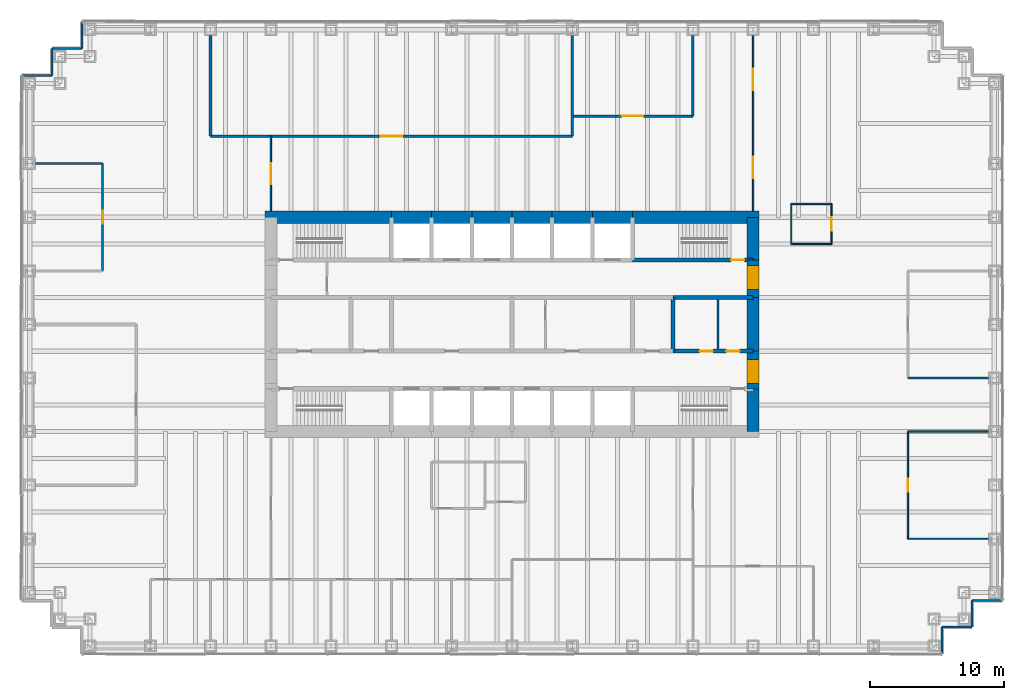
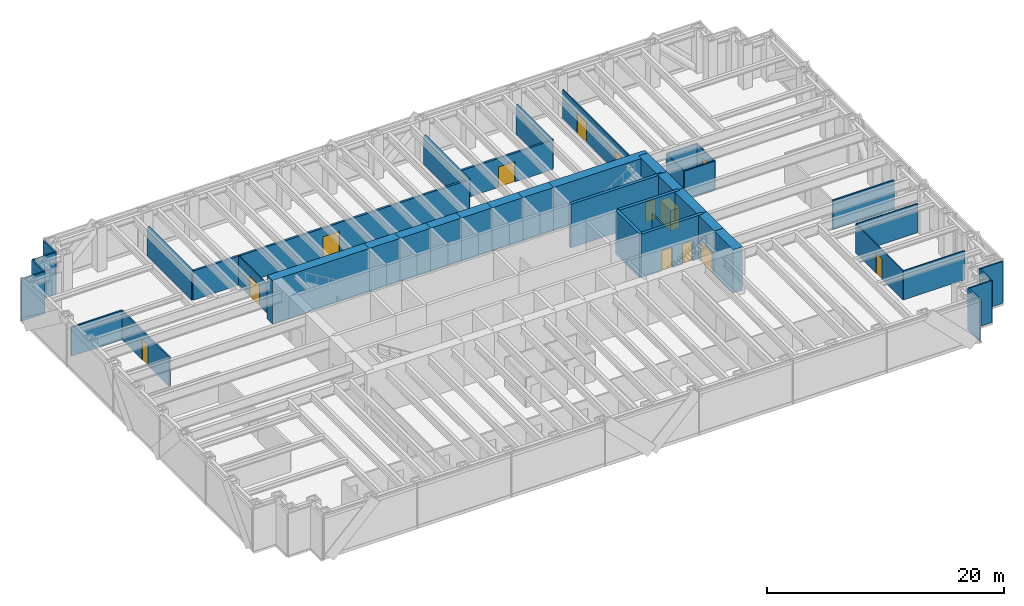
# One storey, part 11 of 13: 43 walls, 13 doors, 13 openings.
"""IFC4 building model written with IfcOpenShell, lengths in metres."""

import ifcopenshell
import ifcopenshell.guid

model = None  # the IFC model being written
_history = None  # IfcOwnerHistory: only IFC2X3 demands one
_inside = {}  # id of a spatial element -> (the spatial element, [elements in it])
_under = {}  # id of a project, library or spatial element -> (it, [spatial elements below it])
_declared = {}  # id of a project -> (the project, [libraries it declares])
_typed = {}  # id of a type object -> (the type object, [elements of that type])
_made_of = {}  # id of a material, layer set ... -> (it, [elements and type objects made of it])


def new_model(schema):
    """Start an empty IFC model of exactly this schema.

    Asked for "IFC4X3", IfcOpenShell would pick the latest addendum, in which some entities
    have other attributes; the version numbers below select the first issue.
    IFC2X3 requires an IfcOwnerHistory on every rooted entity: one is made here for all.
    """
    global model, _history
    if schema == "IFC4X3":
        model = ifcopenshell.file(schema_version=(4, 3, 0, 0))
    else:
        model = ifcopenshell.file(schema=schema)
    _inside.clear()
    _under.clear()
    _declared.clear()
    _typed.clear()
    _made_of.clear()
    _history = None
    if model.schema == "IFC2X3":
        org = make("IfcOrganization", Name="unknown")
        user = make(
            "IfcPersonAndOrganization",
            ThePerson=make("IfcPerson", FamilyName="unknown"),
            TheOrganization=org,
        )
        app = make(
            "IfcApplication",
            ApplicationDeveloper=org,
            Version="unknown",
            ApplicationFullName="unknown",
            ApplicationIdentifier="unknown",
        )
        _history = make(
            "IfcOwnerHistory",
            OwningUser=user,
            OwningApplication=app,
            ChangeAction="ADDED",
            CreationDate=0,
        )
    return model


def make(cls, **values):
    """One entity of the class cls with the attributes given. An attribute that is None is left unset."""
    return model.create_entity(
        cls, **{name: value for name, value in values.items() if value is not None}
    )


def rooted(cls, **values):
    """An entity with a GlobalId (a new one), such as an element, a storey or a relation."""
    return make(cls, GlobalId=ifcopenshell.guid.new(), OwnerHistory=_history, **values)


def si_unit(unit_type, name, prefix=None):
    """IfcSIUnit, for example si_unit("LENGTHUNIT", "METRE", prefix="MILLI")."""
    return make("IfcSIUnit", UnitType=unit_type, Prefix=prefix, Name=name)


def assignment(units):
    """IfcUnitAssignment: the units of a project."""
    return None if units is None else make("IfcUnitAssignment", Units=units)


def point(xyz):
    """IfcCartesianPoint."""
    return None if xyz is None else make("IfcCartesianPoint", Coordinates=xyz)


def direction(xyz):
    """IfcDirection."""
    return None if xyz is None else make("IfcDirection", DirectionRatios=xyz)


def frame(location, z_axis=None, x_axis=None):
    """IfcAxis2Placement3D, a coordinate frame: its origin and axes. An axis left out is left unset."""
    return make(
        "IfcAxis2Placement3D",
        Location=point(location),
        Axis=direction(z_axis),
        RefDirection=direction(x_axis),
    )


def frame_2d(location, x_axis=None):
    """IfcAxis2Placement2D, a coordinate frame in the plane: its origin and x axis."""
    return make(
        "IfcAxis2Placement2D", Location=point(location), RefDirection=direction(x_axis)
    )


def origin():
    """The frame at (0, 0, 0) with its axes left unset."""
    return frame((0.0, 0.0, 0.0))


def place(relative_to, where):
    """IfcLocalPlacement: puts the frame where relative to a parent placement (None: the world)."""
    return make(
        "IfcLocalPlacement", PlacementRelTo=relative_to, RelativePlacement=where
    )


def context(
    kind, dimensions, precision=None, world=None, true_north=None, identifier=None
):
    """IfcGeometricRepresentationContext, for example the 3D "Model" context."""
    return make(
        "IfcGeometricRepresentationContext",
        ContextIdentifier=identifier,
        ContextType=kind,
        CoordinateSpaceDimension=dimensions,
        Precision=precision,
        WorldCoordinateSystem=world,
        TrueNorth=true_north,
    )


def subcontext(parent, identifier, kind, view, scale=None):
    """IfcGeometricRepresentationSubContext, for example "Body" below "Model"."""
    return make(
        "IfcGeometricRepresentationSubContext",
        ContextIdentifier=identifier,
        ContextType=kind,
        ParentContext=parent,
        TargetScale=scale,
        TargetView=view,
    )


def project(units=None, contexts=None):
    """IfcProject with its units and contexts."""
    return rooted(
        "IfcProject",
        Name="project",
        RepresentationContexts=contexts,
        UnitsInContext=assignment(units),
    )


def spatial(cls, under=None, at=None, **own):
    """A site, building, storey or space (cls), placed at a placement, below another one or the project."""
    s = rooted(cls, ObjectPlacement=at, **own)
    if under is not None:
        _under.setdefault(under.id(), (under, []))[1].append(s)
    return s


def profile(cls, at=None, kind="AREA", **sizes):
    """A parametric profile (cls). Its sizes go by their IFC names, for example OverallWidth=200.0."""
    return make(cls, ProfileType=kind, Position=at, **sizes)


def rectangle(**sizes):
    """IfcRectangleProfileDef."""
    return profile("IfcRectangleProfileDef", **sizes)


def extrude(swept, where, along, depth):
    """IfcExtrudedAreaSolid: the profile swept, set in the frame where, extruded along a direction by depth."""
    return make(
        "IfcExtrudedAreaSolid",
        SweptArea=swept,
        Position=where,
        ExtrudedDirection=direction(along),
        Depth=depth,
    )


def shape(context_of_items, identifier, shape_type, items):
    """IfcShapeRepresentation: the items that make up one representation, for example the "Body"."""
    return make(
        "IfcShapeRepresentation",
        ContextOfItems=context_of_items,
        RepresentationIdentifier=identifier,
        RepresentationType=shape_type,
        Items=items,
    )


def material(Name=None, Category=None):
    """IfcMaterial."""
    return make("IfcMaterial", Name=Name, Category=Category)


def layer(
    of_material, thickness, ventilated=None, Name=None, Category=None, Priority=None
):
    """IfcMaterialLayer: one layer of a wall or slab, of a material (None: an air gap)."""
    return make(
        "IfcMaterialLayer",
        Material=of_material,
        LayerThickness=thickness,
        IsVentilated=ventilated,
        Name=Name,
        Category=Category,
        Priority=Priority,
    )


def layer_set(layers, Name=None):
    """IfcMaterialLayerSet."""
    return make("IfcMaterialLayerSet", MaterialLayers=layers, LayerSetName=Name)


def made_of(thing, what):
    """Note that an element or type object is made of a material, layer set ...; save() writes the relation."""
    if what is not None:
        _made_of.setdefault(what.id(), (what, []))[1].append(thing)
    return thing


def type_object(cls, material=None, **own):
    """A type object (cls), such as IfcWallType, which elements share."""
    return made_of(rooted(cls, **own), material)


def element(
    cls,
    number,
    at=None,
    inside=None,
    cuts=None,
    type_object=None,
    material=None,
    context=None,
    identifier="Body",
    shape_type=None,
    held_by="IfcProductDefinitionShape",
    body=None,
    shapes=None,
    **own,
):
    """One element of the class cls, such as IfcWall. Its Tag is "e" and its number.

    at: its placement. inside: the storey or other place that contains it. cuts: it is an
    opening in that element (IfcRelVoidsElement). A single representation is given by context,
    identifier, shape_type and body (its items); several are given by shapes. held_by: the class
    of the entity that holds the representations. save() writes the other relations.
    """
    e = rooted(cls, Tag="e%d" % number, ObjectPlacement=at, **own)
    if body is not None:
        shapes = [shape(context, identifier, shape_type, body)]
    if shapes is not None:
        e.Representation = make(held_by, Representations=shapes)
    if inside is not None:
        _inside.setdefault(inside.id(), (inside, []))[1].append(e)
    if cuts is not None:
        rooted(
            "IfcRelVoidsElement", RelatingBuildingElement=cuts, RelatedOpeningElement=e
        )
    if type_object is not None:
        _typed.setdefault(type_object.id(), (type_object, []))[1].append(e)
    return made_of(e, material)


def fill(opening, filler):
    """IfcRelFillsElement: the door or window that sits in an opening."""
    return rooted(
        "IfcRelFillsElement",
        RelatingOpeningElement=opening,
        RelatedBuildingElement=filler,
    )


def aggregate(whole, parts):
    """IfcRelAggregates: a whole, such as a stair, and the parts it consists of."""
    return rooted("IfcRelAggregates", RelatingObject=whole, RelatedObjects=parts)


def save(model, path):
    """Write the relations noted so far, then the file.

    IfcRelAggregates (storeys below a building ...), IfcRelContainedInSpatialStructure (elements
    in a storey), IfcRelDefinesByType, IfcRelAssociatesMaterial and IfcRelDeclares: one each for
    every whole, place, type object, material and project.
    """
    for whole, parts in _under.values():
        aggregate(whole, parts)
    for where, things in _inside.values():
        rooted(
            "IfcRelContainedInSpatialStructure",
            RelatedElements=things,
            RelatingStructure=where,
        )
    for kind, things in _typed.values():
        rooted("IfcRelDefinesByType", RelatedObjects=things, RelatingType=kind)
    for what, things in _made_of.values():
        rooted("IfcRelAssociatesMaterial", RelatedObjects=things, RelatingMaterial=what)
    for by, libraries in _declared.values():
        rooted("IfcRelDeclares", RelatingContext=by, RelatedDefinitions=libraries)
    model.write(path)


model = new_model("IFC4")

# Units and contexts
model_context = context("Model", 3, precision=1e-05, world=origin(), true_north=direction((0.0, 1.0)))
body_context = subcontext(model_context, "Body", "Model", "MODEL_VIEW")
ifc_project = project(units=[si_unit("LENGTHUNIT", "METRE"), si_unit("AREAUNIT", "SQUARE_METRE"), si_unit("VOLUMEUNIT", "CUBIC_METRE"), si_unit("PLANEANGLEUNIT", "RADIAN"), si_unit("MASSUNIT", "GRAM", prefix="KILO")], contexts=[model_context])

# Site, building, storey
site_placement = place(None, origin())
site = spatial("IfcSite", under=ifc_project, at=site_placement, CompositionType="ELEMENT")
building_placement = place(site_placement, origin())
building = spatial("IfcBuilding", under=site, at=building_placement, Name="Rheinbord Bourse Tower", CompositionType="ELEMENT")
storey_placement = place(building_placement, frame((0.0, 0.0, 63.5)))
storey = spatial("IfcBuildingStorey", under=building, at=storey_placement, Name="L13", CompositionType="ELEMENT", Elevation=63.5)

# Wall, opening, door
ifc_material_1 = material(Name="Acoustic gypsum board partition", Category="gypsum board")
ifc_layer_1 = layer(ifc_material_1, 0.199951171875)
ifc_layer_set_1 = layer_set([ifc_layer_1], Name="ACOUSTIC PARTITION 200")
wall_type_1 = type_object("IfcWallType", Name="ACOUSTIC PARTITION 200", PredefinedType="PARTITIONING", material=ifc_layer_set_1)
wall_1_placement = place(storey_placement, frame((13.5, 38.050048828125, 0.0), z_axis=(0.0, 0.0, 1.0), x_axis=(1.0, 0.0, 0.0)))
wall_1 = element("IfcWall", 1, at=wall_1_placement, inside=storey, type_object=wall_type_1, Name="Partition L13-18", PredefinedType="PARTITIONING", context=body_context, shape_type="SweptSolid", body=[
    extrude(rectangle(XDim=27.0, YDim=0.199951171875, at=frame_2d((13.5, 0.0))), origin(), (0.0, 0.0, 1.0), 3.0),
])
opening_1_placement = place(wall_1_placement, frame((12.699951171875, 0.0, 0.0)))
opening_1 = element("IfcOpeningElement", 2, at=opening_1_placement, cuts=wall_1, Name="Opening 13D16", PredefinedType="OPENING", context=body_context, shape_type="SweptSolid", body=[
    extrude(rectangle(XDim=1.60009765625, YDim=2.10009765625, at=frame_2d((0.800048828125, 1.050048828125))), frame((0.0, 0.10986328125, 0.0), z_axis=(0.0, -1.0, 0.0), x_axis=(1.0, 0.0, 0.0)), (0.0, 0.0, 1.0), 0.219970703125),
])
ifc_material_2 = material(Name="Timber door", Category="wood")
door_type_1 = type_object("IfcDoorType", Name="DOUBLE ROOM DOOR 1600", OperationType="DOUBLE_DOOR_DOUBLE_SWING", PredefinedType="DOOR", material=ifc_material_2)
door_1_placement = place(opening_1_placement, origin())
door_1 = element("IfcDoor", 3, at=door_1_placement, inside=storey, type_object=door_type_1, Name="Clearing operations room door L13", OperationType="SINGLE_SWING_LEFT", OverallHeight=2.10009765625, OverallWidth=1.60009765625, PredefinedType="DOOR", context=body_context, shape_type="SweptSolid", body=[
    extrude(rectangle(XDim=1.60009765625, YDim=2.10009765625, at=frame_2d((0.800048828125, 1.050048828125))), frame((0.0, 0.02490234375, 0.0), z_axis=(0.0, -1.0, 0.0), x_axis=(1.0, 0.0, 0.0)), (0.0, 0.0, 1.0), 0.050048828125),
])
fill(opening_1, door_1)

wall_2_placement = place(storey_placement, frame((40.5, 39.550048828125, 0.0), z_axis=(0.0, 0.0, 1.0), x_axis=(1.0, 0.0, 0.0)))
wall_2 = element("IfcWall", 4, at=wall_2_placement, inside=storey, type_object=wall_type_1, Name="Partition L13-19", PredefinedType="PARTITIONING", context=body_context, shape_type="SweptSolid", body=[
    extrude(rectangle(XDim=9.0, YDim=0.199951171875, at=frame_2d((4.5, 0.0))), origin(), (0.0, 0.0, 1.0), 3.0),
])
opening_2_placement = place(wall_2_placement, frame((3.699951171875, 0.0, 0.0)))
opening_2 = element("IfcOpeningElement", 5, at=opening_2_placement, cuts=wall_2, Name="Opening 13D17", PredefinedType="OPENING", context=body_context, shape_type="SweptSolid", body=[
    extrude(rectangle(XDim=1.60009765625, YDim=2.10009765625, at=frame_2d((0.800048828125, 1.050048828125))), frame((0.0, 0.10986328125, 0.0), z_axis=(0.0, -1.0, 0.0), x_axis=(1.0, 0.0, 0.0)), (0.0, 0.0, 1.0), 0.219970703125),
])
door_2_placement = place(opening_2_placement, origin())
door_2 = element("IfcDoor", 6, at=door_2_placement, inside=storey, type_object=door_type_1, Name="Default management room door L13", OperationType="SINGLE_SWING_LEFT", OverallHeight=2.10009765625, OverallWidth=1.60009765625, PredefinedType="DOOR", context=body_context, shape_type="SweptSolid", body=[
    extrude(rectangle(XDim=1.60009765625, YDim=2.10009765625, at=frame_2d((0.800048828125, 1.050048828125))), frame((0.0, 0.02490234375, 0.0), z_axis=(0.0, -1.0, 0.0), x_axis=(1.0, 0.0, 0.0)), (0.0, 0.0, 1.0), 0.050048828125),
])
fill(opening_2, door_2)

# Walls
for number, where, z_axis, x_axis, name in (
    (7, (13.5, 38.050048828125, 0.0), (0.0, 0.0, 1.0), (0.0, 1.0, 0.0), "Partition L13-24"),
    (8, (40.5, 38.050048828125, 0.0), (0.0, 0.0, 1.0), (0.0, 1.0, 0.0), "Partition L13-36"),
):
    element("IfcWall", number, at=place(storey_placement, frame(where, z_axis=z_axis, x_axis=x_axis)), inside=storey, type_object=wall_type_1, Name=name, PredefinedType="PARTITIONING", context=body_context, shape_type="SweptSolid", body=[
        extrude(rectangle(XDim=7.5, YDim=0.199951171875, at=frame_2d((3.75, 0.0))), origin(), (0.0, 0.0, 1.0), 3.0),
    ])
wall_3_placement = place(storey_placement, frame((49.5, 39.550048828125, 0.0), z_axis=(0.0, 0.0, 1.0), x_axis=(0.0, 1.0, 0.0)))
element("IfcWall", 9, at=wall_3_placement, inside=storey, type_object=wall_type_1, Name="Partition L13-38", PredefinedType="PARTITIONING", context=body_context, shape_type="SweptSolid", body=[
    extrude(rectangle(XDim=6.0, YDim=0.199951171875, at=frame_2d((3.0, 0.0))), origin(), (0.0, 0.0, 1.0), 3.0),
])

# Wall, opening, door
ifc_material_3 = material(Name="Concrete C50/60", Category="concrete")
ifc_layer_2 = layer(ifc_material_3, 0.300048828125)
ifc_layer_set_2 = layer_set([ifc_layer_2], Name="CORE INNER WALL 300")
wall_type_2 = type_object("IfcWallType", Name="CORE INNER WALL 300", PredefinedType="SOLIDWALL", material=ifc_layer_set_2)
wall_4_placement = place(storey_placement, frame((45.0, 28.800048828125, 0.0), z_axis=(0.0, 0.0, 1.0), x_axis=(1.0, 0.0, 0.0)))
wall_4 = element("IfcWall", 10, at=wall_4_placement, inside=storey, type_object=wall_type_2, Name="Core wall B8 L13", PredefinedType="SOLIDWALL", context=body_context, shape_type="SweptSolid", body=[
    extrude(rectangle(XDim=9.0, YDim=0.300048828125, at=frame_2d((4.5, 0.0))), origin(), (0.0, 0.0, 1.0), 4.5),
])
opening_3_placement = place(wall_4_placement, frame((7.35009765625, 0.0, 0.0)))
opening_3 = element("IfcOpeningElement", 11, at=opening_3_placement, cuts=wall_4, Name="Opening 1340", PredefinedType="OPENING", context=body_context, shape_type="SweptSolid", body=[
    extrude(rectangle(XDim=1.0, YDim=2.10009765625, at=frame_2d((0.5, 1.050048828125))), frame((0.0, 0.159912109375, 0.0), z_axis=(0.0, -1.0, 0.0), x_axis=(1.0, 0.0, 0.0)), (0.0, 0.0, 1.0), 0.320068359375),
])
ifc_material_4 = material(Name="Steel door", Category="steel")
door_type_2 = type_object("IfcDoorType", Name="DOOR 1000 EI30", OperationType="SINGLE_SWING_LEFT", PredefinedType="DOOR", material=ifc_material_4)
door_3_placement = place(opening_3_placement, origin())
door_3 = element("IfcDoor", 12, at=door_3_placement, inside=storey, type_object=door_type_2, Name="Stair door ST4 L13", OperationType="SINGLE_SWING_RIGHT", OverallHeight=2.10009765625, OverallWidth=1.0, PredefinedType="DOOR", context=body_context, shape_type="SweptSolid", body=[
    extrude(rectangle(XDim=1.0, YDim=2.10009765625, at=frame_2d((0.5, 1.050048828125))), frame((0.0, 0.02490234375, 0.0), z_axis=(0.0, -1.0, 0.0), x_axis=(1.0, 0.0, 0.0)), (0.0, 0.0, 1.0), 0.050048828125),
])
fill(opening_3, door_3)

# Wall, openings, doors
wall_5_placement = place(storey_placement, frame((48.0, 22.0, 0.0), z_axis=(0.0, 0.0, 1.0), x_axis=(1.0, 0.0, 0.0)))
wall_5 = element("IfcWall", 13, at=wall_5_placement, inside=storey, type_object=wall_type_2, Name="Core wall C6 L13", PredefinedType="SOLIDWALL", context=body_context, shape_type="SweptSolid", body=[
    extrude(rectangle(XDim=6.0, YDim=0.300048828125, at=frame_2d((3.0, 0.0))), origin(), (0.0, 0.0, 1.0), 4.5),
])
opening_4_placement = place(wall_5_placement, frame((2.0, 0.0, 0.0)))
opening_4 = element("IfcOpeningElement", 14, at=opening_4_placement, cuts=wall_5, Name="Opening 13R6", PredefinedType="OPENING", context=body_context, shape_type="SweptSolid", body=[
    extrude(rectangle(XDim=1.0, YDim=2.10009765625, at=frame_2d((0.5, 1.050048828125))), frame((0.0, 0.159912109375, 0.0), z_axis=(0.0, -1.0, 0.0), x_axis=(1.0, 0.0, 0.0)), (0.0, 0.0, 1.0), 0.320068359375),
])
opening_5_placement = place(wall_5_placement, frame((4.0, 0.0, 0.0)))
opening_5 = element("IfcOpeningElement", 15, at=opening_5_placement, cuts=wall_5, Name="Opening 13R10", PredefinedType="OPENING", context=body_context, shape_type="SweptSolid", body=[
    extrude(rectangle(XDim=1.0, YDim=2.10009765625, at=frame_2d((0.5, 1.050048828125))), frame((0.0, 0.159912109375, 0.0), z_axis=(0.0, -1.0, 0.0), x_axis=(1.0, 0.0, 0.0)), (0.0, 0.0, 1.0), 0.320068359375),
])
door_4_placement = place(opening_5_placement, origin())
door_4 = element("IfcDoor", 16, at=door_4_placement, inside=storey, type_object=door_type_2, Name="Cleaner's store door L13", OperationType="SINGLE_SWING_RIGHT", OverallHeight=2.10009765625, OverallWidth=1.0, PredefinedType="DOOR", context=body_context, shape_type="SweptSolid", body=[
    extrude(rectangle(XDim=1.0, YDim=2.10009765625, at=frame_2d((0.5, 1.050048828125))), frame((0.0, 0.02490234375, 0.0), z_axis=(0.0, -1.0, 0.0), x_axis=(1.0, 0.0, 0.0)), (0.0, 0.0, 1.0), 0.050048828125),
])
fill(opening_5, door_4)
ifc_material_5 = material(Name="Timber door", Category="wood")
door_type_3 = type_object("IfcDoorType", Name="DOOR 1000 WC", OperationType="SINGLE_SWING_LEFT", PredefinedType="DOOR", material=ifc_material_5)
door_5_placement = place(opening_4_placement, origin())
door_5 = element("IfcDoor", 17, at=door_5_placement, inside=storey, type_object=door_type_3, Name="WC women door L13", OperationType="SINGLE_SWING_LEFT", OverallHeight=2.10009765625, OverallWidth=1.0, PredefinedType="DOOR", context=body_context, shape_type="SweptSolid", body=[
    extrude(rectangle(XDim=1.0, YDim=2.10009765625, at=frame_2d((0.5, 1.050048828125))), frame((0.0, 0.02490234375, 0.0), z_axis=(0.0, -1.0, 0.0), x_axis=(1.0, 0.0, 0.0)), (0.0, 0.0, 1.0), 0.050048828125),
])
fill(opening_4, door_5)

# Walls
wall_6_placement = place(storey_placement, frame((48.0, 26.0, 0.0), z_axis=(0.0, 0.0, 1.0), x_axis=(1.0, 0.0, 0.0)))
element("IfcWall", 18, at=wall_6_placement, inside=storey, type_object=wall_type_2, Name="Core wall D6 L13", PredefinedType="SOLIDWALL", context=body_context, shape_type="SweptSolid", body=[
    extrude(rectangle(XDim=6.0, YDim=0.300048828125, at=frame_2d((3.0, 0.0))), origin(), (0.0, 0.0, 1.0), 4.5),
])
wall_7_placement = place(storey_placement, frame((48.0, 22.0, 0.0), z_axis=(0.0, 0.0, 1.0), x_axis=(0.0, 1.0, 0.0)))
element("IfcWall", 19, at=wall_7_placement, inside=storey, type_object=wall_type_2, Name="Core wall MX48 L13", PredefinedType="SOLIDWALL", context=body_context, shape_type="SweptSolid", body=[
    extrude(rectangle(XDim=4.0, YDim=0.300048828125, at=frame_2d((2.0, 0.0))), origin(), (0.0, 0.0, 1.0), 4.5),
])
ifc_material_6 = material(Name="Gypsum board fire partition", Category="gypsum board")
ifc_layer_3 = layer(ifc_material_6, 0.14990234375)
ifc_layer_set_3 = layer_set([ifc_layer_3], Name="CORE PARTITION 150 EI30")
wall_type_3 = type_object("IfcWallType", Name="CORE PARTITION 150 EI30", PredefinedType="PARTITIONING", material=ifc_layer_set_3)
wall_8_placement = place(storey_placement, frame((51.375, 22.14990234375, 0.0), z_axis=(0.0, 0.0, 1.0), x_axis=(0.0, 1.0, 0.0)))
element("IfcWall", 20, at=wall_8_placement, inside=storey, type_object=wall_type_3, Name="Core partition L13-3", PredefinedType="PARTITIONING", context=body_context, shape_type="SweptSolid", body=[
    extrude(rectangle(XDim=3.7001953125, YDim=0.14990234375, at=frame_2d((1.85009765625, 0.0))), origin(), (0.0, 0.0, 1.0), 3.0),
])
ifc_material_7 = material(Name="Concrete C50/60", Category="concrete")
ifc_layer_4 = layer(ifc_material_7, 0.89990234375)
ifc_layer_set_4 = layer_set([ifc_layer_4], Name="CORE WALL 900")
wall_type_4 = type_object("IfcWallType", Name="CORE WALL 900", PredefinedType="SHEAR", material=ifc_layer_set_4)
wall_9_placement = place(storey_placement, frame((54.449951171875, 32.0, 0.0), z_axis=(0.0, 0.0, 1.0), x_axis=(-1.0, 0.0, 0.0)))
element("IfcWall", 21, at=wall_9_placement, inside=storey, type_object=wall_type_4, Name="Core wall N1 L13", PredefinedType="SHEAR", context=body_context, shape_type="SweptSolid", body=[
    extrude(rectangle(XDim=9.449951171875, YDim=0.89990234375, at=frame_2d((4.72509765625, 0.0))), origin(), (0.0, 0.0, 1.0), 4.5),
])
for number, where, z_axis, x_axis, name in (
    (22, (45.0, 32.0, 0.0), (0.0, 0.0, 1.0), (-1.0, 0.0, 0.0), "Core wall N2 L13"),
    (23, (42.0, 32.0, 0.0), (0.0, 0.0, 1.0), (-1.0, 0.0, 0.0), "Core wall N3 L13"),
    (24, (39.0, 32.0, 0.0), (0.0, 0.0, 1.0), (-1.0, 0.0, 0.0), "Core wall N4 L13"),
    (25, (36.0, 32.0, 0.0), (0.0, 0.0, 1.0), (-1.0, 0.0, 0.0), "Core wall N5 L13"),
    (26, (33.0, 32.0, 0.0), (0.0, 0.0, 1.0), (-1.0, 0.0, 0.0), "Core wall N6 L13"),
    (27, (30.0, 32.0, 0.0), (0.0, 0.0, 1.0), (-1.0, 0.0, 0.0), "Core wall N7 L13"),
):
    element("IfcWall", number, at=place(storey_placement, frame(where, z_axis=z_axis, x_axis=x_axis)), inside=storey, type_object=wall_type_4, Name=name, PredefinedType="SHEAR", context=body_context, shape_type="SweptSolid", body=[
        extrude(rectangle(XDim=3.0, YDim=0.89990234375, at=frame_2d((1.5, 0.0))), origin(), (0.0, 0.0, 1.0), 4.5),
    ])
wall_10_placement = place(storey_placement, frame((27.0, 32.0, 0.0), z_axis=(0.0, 0.0, 1.0), x_axis=(-1.0, 0.0, 0.0)))
element("IfcWall", 28, at=wall_10_placement, inside=storey, type_object=wall_type_4, Name="Core wall N8 L13", PredefinedType="SHEAR", context=body_context, shape_type="SweptSolid", body=[
    extrude(rectangle(XDim=9.449951171875, YDim=0.89990234375, at=frame_2d((4.72509765625, 0.0))), origin(), (0.0, 0.0, 1.0), 4.5),
])
wall_11_placement = place(storey_placement, frame((54.0, 16.0, 0.0), z_axis=(0.0, 0.0, 1.0), x_axis=(0.0, 1.0, 0.0)))
element("IfcWall", 29, at=wall_11_placement, inside=storey, type_object=wall_type_4, Name="Core wall E1 L13", PredefinedType="SHEAR", context=body_context, shape_type="SweptSolid", body=[
    extrude(rectangle(XDim=3.199951171875, YDim=0.89990234375, at=frame_2d((1.60009765625, 0.0))), origin(), (0.0, 0.0, 1.0), 4.5),
])

# Wall, opening, door
wall_12_placement = place(storey_placement, frame((54.0, 19.199951171875, 0.0), z_axis=(0.0, 0.0, 1.0), x_axis=(0.0, 1.0, 0.0)))
wall_12 = element("IfcWall", 30, at=wall_12_placement, inside=storey, type_object=wall_type_4, Name="Core wall E2 L13", PredefinedType="SHEAR", context=body_context, shape_type="SweptSolid", body=[
    extrude(rectangle(XDim=2.800048828125, YDim=0.89990234375, at=frame_2d((1.39990234375, 0.0))), origin(), (0.0, 0.0, 1.0), 4.5),
])
opening_6_placement = place(wall_12_placement, frame((0.39990234375, 0.0, 0.0)))
opening_6 = element("IfcOpeningElement", 31, at=opening_6_placement, cuts=wall_12, Name="Opening 13L3", PredefinedType="OPENING", context=body_context, shape_type="SweptSolid", body=[
    extrude(rectangle(XDim=1.800048828125, YDim=2.10009765625, at=frame_2d((0.89990234375, 1.050048828125))), frame((0.0, 0.4599609375, 0.0), z_axis=(0.0, -1.0, 0.0), x_axis=(1.0, 0.0, 0.0)), (0.0, 0.0, 1.0), 0.919921875),
])
ifc_material_8 = material(Name="Steel door", Category="steel")
door_type_4 = type_object("IfcDoorType", Name="DOOR 1800 EI30 DOUBLE", OperationType="DOUBLE_DOOR_DOUBLE_SWING", PredefinedType="DOOR", material=ifc_material_8)
door_6_placement = place(opening_6_placement, origin())
door_6 = element("IfcDoor", 32, at=door_6_placement, inside=storey, type_object=door_type_4, Name="Lobby door 3 L13", OperationType="SINGLE_SWING_LEFT", OverallHeight=2.10009765625, OverallWidth=1.800048828125, PredefinedType="DOOR", context=body_context, shape_type="SweptSolid", body=[
    extrude(rectangle(XDim=1.800048828125, YDim=2.10009765625, at=frame_2d((0.89990234375, 1.050048828125))), frame((0.0, 0.44970703125, 0.0), z_axis=(0.0, -1.0, 0.0), x_axis=(1.0, 0.0, 0.0)), (0.0, 0.0, 1.0), 0.8994140625),
])
fill(opening_6, door_6)

# Wall
wall_13_placement = place(storey_placement, frame((54.0, 22.0, 0.0), z_axis=(0.0, 0.0, 1.0), x_axis=(0.0, 1.0, 0.0)))
element("IfcWall", 33, at=wall_13_placement, inside=storey, type_object=wall_type_4, Name="Core wall E3 L13", PredefinedType="SHEAR", context=body_context, shape_type="SweptSolid", body=[
    extrude(rectangle(XDim=4.0, YDim=0.89990234375, at=frame_2d((2.0, 0.0))), origin(), (0.0, 0.0, 1.0), 4.5),
])

# Wall, opening, door
wall_14_placement = place(storey_placement, frame((54.0, 26.0, 0.0), z_axis=(0.0, 0.0, 1.0), x_axis=(0.0, 1.0, 0.0)))
wall_14 = element("IfcWall", 34, at=wall_14_placement, inside=storey, type_object=wall_type_4, Name="Core wall E4 L13", PredefinedType="SHEAR", context=body_context, shape_type="SweptSolid", body=[
    extrude(rectangle(XDim=2.800048828125, YDim=0.89990234375, at=frame_2d((1.39990234375, 0.0))), origin(), (0.0, 0.0, 1.0), 4.5),
])
opening_7_placement = place(wall_14_placement, frame((0.60009765625, 0.0, 0.0)))
opening_7 = element("IfcOpeningElement", 35, at=opening_7_placement, cuts=wall_14, Name="Opening 13L4", PredefinedType="OPENING", context=body_context, shape_type="SweptSolid", body=[
    extrude(rectangle(XDim=1.800048828125, YDim=2.10009765625, at=frame_2d((0.89990234375, 1.050048828125))), frame((0.0, 0.4599609375, 0.0), z_axis=(0.0, -1.0, 0.0), x_axis=(1.0, 0.0, 0.0)), (0.0, 0.0, 1.0), 0.919921875),
])
door_7_placement = place(opening_7_placement, origin())
door_7 = element("IfcDoor", 36, at=door_7_placement, inside=storey, type_object=door_type_4, Name="Lobby door 4 L13", OperationType="SINGLE_SWING_LEFT", OverallHeight=2.10009765625, OverallWidth=1.800048828125, PredefinedType="DOOR", context=body_context, shape_type="SweptSolid", body=[
    extrude(rectangle(XDim=1.800048828125, YDim=2.10009765625, at=frame_2d((0.89990234375, 1.050048828125))), frame((0.0, 0.44970703125, 0.0), z_axis=(0.0, -1.0, 0.0), x_axis=(1.0, 0.0, 0.0)), (0.0, 0.0, 1.0), 0.8994140625),
])
fill(opening_7, door_7)

# Walls
wall_15_placement = place(storey_placement, frame((54.0, 28.800048828125, 0.0), z_axis=(0.0, 0.0, 1.0), x_axis=(0.0, 1.0, 0.0)))
element("IfcWall", 37, at=wall_15_placement, inside=storey, type_object=wall_type_4, Name="Core wall E5 L13", PredefinedType="SHEAR", context=body_context, shape_type="SweptSolid", body=[
    extrude(rectangle(XDim=3.199951171875, YDim=0.89990234375, at=frame_2d((1.60009765625, 0.0))), origin(), (0.0, 0.0, 1.0), 4.5),
])
ifc_material_9 = material(Name="Black metal rainscreen panel", Category="aluminium")
ifc_layer_5 = layer(ifc_material_9, 0.14990234375)
ifc_layer_set_5 = layer_set([ifc_layer_5], Name="CORNER PIER CLADDING 150")
wall_type_5 = type_object("IfcWallType", Name="CORNER PIER CLADDING 150", PredefinedType="ELEMENTEDWALL", material=ifc_layer_set_5)
wall_16_placement = place(storey_placement, frame((68.10009765625, -0.60009765625, 0.0), z_axis=(0.0, 0.0, 1.0), x_axis=(0.0, 1.0, 0.0)))
element("IfcWall", 38, at=wall_16_placement, inside=storey, type_object=wall_type_5, Name="Corner pier cladding L13 2", PredefinedType="ELEMENTEDWALL", context=body_context, shape_type="SweptSolid", body=[
    extrude(rectangle(XDim=2.0, YDim=0.14990234375, at=frame_2d((1.0, 0.0))), origin(), (0.0, 0.0, 1.0), 4.320068359375),
])
wall_17_placement = place(storey_placement, frame((68.10009765625, 1.39990234375, 0.0), z_axis=(0.0, 0.0, 1.0), x_axis=(1.0, 0.0, 0.0)))
element("IfcWall", 39, at=wall_17_placement, inside=storey, type_object=wall_type_5, Name="Corner pier cladding L13 3", PredefinedType="ELEMENTEDWALL", context=body_context, shape_type="SweptSolid", body=[
    extrude(rectangle(XDim=2.25, YDim=0.14990234375, at=frame_2d((1.125, 0.0))), origin(), (0.0, 0.0, 1.0), 4.320068359375),
])
wall_18_placement = place(storey_placement, frame((70.35009765625, 1.39990234375, 0.0), z_axis=(0.0, 0.0, 1.0), x_axis=(0.0, 1.0, 0.0)))
element("IfcWall", 40, at=wall_18_placement, inside=storey, type_object=wall_type_5, Name="Corner pier cladding L13 4", PredefinedType="ELEMENTEDWALL", context=body_context, shape_type="SweptSolid", body=[
    extrude(rectangle(XDim=2.0, YDim=0.14990234375, at=frame_2d((1.0, 0.0))), origin(), (0.0, 0.0, 1.0), 4.320068359375),
])
wall_19_placement = place(storey_placement, frame((70.35009765625, 3.39990234375, 0.0), z_axis=(0.0, 0.0, 1.0), x_axis=(1.0, 0.0, 0.0)))
element("IfcWall", 41, at=wall_19_placement, inside=storey, type_object=wall_type_5, Name="Corner pier cladding L13 5", PredefinedType="ELEMENTEDWALL", context=body_context, shape_type="SweptSolid", body=[
    extrude(rectangle(XDim=2.25, YDim=0.14990234375, at=frame_2d((1.125, 0.0))), origin(), (0.0, 0.0, 1.0), 4.320068359375),
])
wall_20_placement = place(storey_placement, frame((3.89990234375, 46.60009765625, 0.0), z_axis=(0.0, 0.0, 1.0), x_axis=(0.0, -1.0, 0.0)))
element("IfcWall", 42, at=wall_20_placement, inside=storey, type_object=wall_type_5, Name="Corner pier cladding L13 12", PredefinedType="ELEMENTEDWALL", context=body_context, shape_type="SweptSolid", body=[
    extrude(rectangle(XDim=2.0, YDim=0.14990234375, at=frame_2d((1.0, 0.0))), origin(), (0.0, 0.0, 1.0), 4.320068359375),
])
wall_21_placement = place(storey_placement, frame((3.89990234375, 44.60009765625, 0.0), z_axis=(0.0, 0.0, 1.0), x_axis=(-1.0, 0.0, 0.0)))
element("IfcWall", 43, at=wall_21_placement, inside=storey, type_object=wall_type_5, Name="Corner pier cladding L13 13", PredefinedType="ELEMENTEDWALL", context=body_context, shape_type="SweptSolid", body=[
    extrude(rectangle(XDim=2.25, YDim=0.14990234375, at=frame_2d((1.125, 0.0))), origin(), (0.0, 0.0, 1.0), 4.320068359375),
])
wall_22_placement = place(storey_placement, frame((1.64990234375, 44.60009765625, 0.0), z_axis=(0.0, 0.0, 1.0), x_axis=(0.0, -1.0, 0.0)))
element("IfcWall", 44, at=wall_22_placement, inside=storey, type_object=wall_type_5, Name="Corner pier cladding L13 14", PredefinedType="ELEMENTEDWALL", context=body_context, shape_type="SweptSolid", body=[
    extrude(rectangle(XDim=2.0, YDim=0.14990234375, at=frame_2d((1.0, 0.0))), origin(), (0.0, 0.0, 1.0), 4.320068359375),
])
wall_23_placement = place(storey_placement, frame((1.64990234375, 42.60009765625, 0.0), z_axis=(0.0, 0.0, 1.0), x_axis=(-1.0, 0.0, 0.0)))
element("IfcWall", 45, at=wall_23_placement, inside=storey, type_object=wall_type_5, Name="Corner pier cladding L13 15", PredefinedType="ELEMENTEDWALL", context=body_context, shape_type="SweptSolid", body=[
    extrude(rectangle(XDim=2.25, YDim=0.14990234375, at=frame_2d((1.125, 0.0))), origin(), (0.0, 0.0, 1.0), 4.320068359375),
])
ifc_material_10 = material(Name="Gypsum board fire partition", Category="gypsum board")
ifc_layer_6 = layer(ifc_material_10, 0.14990234375)
ifc_layer_set_6 = layer_set([ifc_layer_6], Name="FIRE PARTITION 150 EI60")
wall_type_6 = type_object("IfcWallType", Name="FIRE PARTITION 150 EI60", PredefinedType="PARTITIONING", material=ifc_layer_set_6)
wall_24_placement = place(storey_placement, frame((0.449951171875, 36.0, 0.0), z_axis=(0.0, 0.0, 1.0), x_axis=(1.0, 0.0, 0.0)))
element("IfcWall", 46, at=wall_24_placement, inside=storey, type_object=wall_type_6, Name="Partition L13-17", PredefinedType="PARTITIONING", context=body_context, shape_type="SweptSolid", body=[
    extrude(rectangle(XDim=5.0, YDim=0.14990234375, at=frame_2d((2.5, 0.0))), origin(), (0.0, 0.0, 1.0), 3.0),
])

# Wall, opening, door
wall_25_placement = place(storey_placement, frame((5.449951171875, 28.0, 0.0), z_axis=(0.0, 0.0, 1.0), x_axis=(0.0, 1.0, 0.0)))
wall_25 = element("IfcWall", 47, at=wall_25_placement, inside=storey, type_object=wall_type_6, Name="Partition L13-20", PredefinedType="PARTITIONING", context=body_context, shape_type="SweptSolid", body=[
    extrude(rectangle(XDim=8.0, YDim=0.14990234375, at=frame_2d((4.0, 0.0))), origin(), (0.0, 0.0, 1.0), 3.0),
])
opening_8_placement = place(wall_25_placement, frame((3.5, 0.0, 0.0)))
opening_8 = element("IfcOpeningElement", 48, at=opening_8_placement, cuts=wall_25, Name="Opening 13D15", PredefinedType="OPENING", context=body_context, shape_type="SweptSolid", body=[
    extrude(rectangle(XDim=1.0, YDim=2.10009765625, at=frame_2d((0.5, 1.050048828125))), frame((0.0, 0.0849609375, 0.0), z_axis=(0.0, -1.0, 0.0), x_axis=(1.0, 0.0, 0.0)), (0.0, 0.0, 1.0), 0.169921875),
])
ifc_material_11 = material(Name="Timber fire door", Category="wood")
door_type_5 = type_object("IfcDoorType", Name="FIRE DOOR 1000 EI60", OperationType="SINGLE_SWING_LEFT", PredefinedType="DOOR", material=ifc_material_11)
door_8_placement = place(opening_8_placement, origin())
door_8 = element("IfcDoor", 49, at=door_8_placement, inside=storey, type_object=door_type_5, Name="Archive door L13", OperationType="SINGLE_SWING_LEFT", OverallHeight=2.10009765625, OverallWidth=1.0, PredefinedType="DOOR", context=body_context, shape_type="SweptSolid", body=[
    extrude(rectangle(XDim=1.0, YDim=2.10009765625, at=frame_2d((0.5, 1.050048828125))), frame((0.0, 0.02490234375, 0.0), z_axis=(0.0, -1.0, 0.0), x_axis=(1.0, 0.0, 0.0)), (0.0, 0.0, 1.0), 0.050048828125),
])
fill(opening_8, door_8)

# Walls
ifc_material_12 = material(Name="Toughened laminated glass partition", Category="glass")
ifc_layer_7 = layer(ifc_material_12, 0.10009765625)
ifc_layer_set_7 = layer_set([ifc_layer_7], Name="GLAZED PARTITION 100")
wall_type_7 = type_object("IfcWallType", Name="GLAZED PARTITION 100", PredefinedType="PARTITIONING", material=ifc_layer_set_7)
for number, where, z_axis, x_axis, name in (
    (50, (65.550048828125, 8.0, 0.0), (0.0, 0.0, 1.0), (1.0, 0.0, 0.0), "Partition L13-04"),
    (51, (65.550048828125, 16.0, 0.0), (0.0, 0.0, 1.0), (1.0, 0.0, 0.0), "Partition L13-10"),
):
    element("IfcWall", number, at=place(storey_placement, frame(where, z_axis=z_axis, x_axis=x_axis)), inside=storey, type_object=wall_type_7, Name=name, PredefinedType="PARTITIONING", context=body_context, shape_type="SweptSolid", body=[
        extrude(rectangle(XDim=6.0, YDim=0.10009765625, at=frame_2d((3.0, 0.0))), origin(), (0.0, 0.0, 1.0), 3.0),
    ])
for number, where, z_axis, x_axis, name in (
    (52, (56.85009765625, 30.0, 0.0), (0.0, 0.0, 1.0), (1.0, 0.0, 0.0), "Partition L13-15"),
    (53, (56.85009765625, 33.0, 0.0), (0.0, 0.0, 1.0), (1.0, 0.0, 0.0), "Partition L13-16"),
):
    element("IfcWall", number, at=place(storey_placement, frame(where, z_axis=z_axis, x_axis=x_axis)), inside=storey, type_object=wall_type_7, Name=name, PredefinedType="PARTITIONING", context=body_context, shape_type="SweptSolid", body=[
        extrude(rectangle(XDim=3.0, YDim=0.10009765625, at=frame_2d((1.5, 0.0))), origin(), (0.0, 0.0, 1.0), 3.0),
    ])

# Wall, opening, door
wall_26_placement = place(storey_placement, frame((18.0, 32.449951171875, 0.0), z_axis=(0.0, 0.0, 1.0), x_axis=(0.0, 1.0, 0.0)))
wall_26 = element("IfcWall", 54, at=wall_26_placement, inside=storey, type_object=wall_type_7, Name="Partition L13-27", PredefinedType="PARTITIONING", context=body_context, shape_type="SweptSolid", body=[
    extrude(rectangle(XDim=5.60009765625, YDim=0.10009765625, at=frame_2d((2.800048828125, 0.0))), origin(), (0.0, 0.0, 1.0), 3.0),
])
opening_9_placement = place(wall_26_placement, frame((2.0, 0.0, 0.0)))
opening_9 = element("IfcOpeningElement", 55, at=opening_9_placement, cuts=wall_26, Name="Opening 13D19", PredefinedType="OPENING", context=body_context, shape_type="SweptSolid", body=[
    extrude(rectangle(XDim=1.60009765625, YDim=2.10009765625, at=frame_2d((0.800048828125, 1.050048828125))), frame((0.0, 0.06005859375, 0.0), z_axis=(0.0, -1.0, 0.0), x_axis=(1.0, 0.0, 0.0)), (0.0, 0.0, 1.0), 0.1201171875),
])
door_9_placement = place(opening_9_placement, origin())
door_9 = element("IfcDoor", 56, at=door_9_placement, inside=storey, type_object=door_type_1, Name="Open area door L13", OperationType="SINGLE_SWING_LEFT", OverallHeight=2.10009765625, OverallWidth=1.60009765625, PredefinedType="DOOR", context=body_context, shape_type="SweptSolid", body=[
    extrude(rectangle(XDim=1.60009765625, YDim=2.10009765625, at=frame_2d((0.800048828125, 1.050048828125))), frame((0.0, 0.02490234375, 0.0), z_axis=(0.0, -1.0, 0.0), x_axis=(1.0, 0.0, 0.0)), (0.0, 0.0, 1.0), 0.050048828125),
])
fill(opening_9, door_9)

# Wall, openings, doors
wall_27_placement = place(storey_placement, frame((54.0, 32.449951171875, 0.0), z_axis=(0.0, 0.0, 1.0), x_axis=(0.0, 1.0, 0.0)))
wall_27 = element("IfcWall", 57, at=wall_27_placement, inside=storey, type_object=wall_type_7, Name="Partition L13-39", PredefinedType="PARTITIONING", context=body_context, shape_type="SweptSolid", body=[
    extrude(rectangle(XDim=13.10009765625, YDim=0.10009765625, at=frame_2d((6.550048828125, 0.0))), origin(), (0.0, 0.0, 1.0), 3.0),
])
opening_10_placement = place(wall_27_placement, frame((2.47509765625, 0.0, 0.0)))
opening_10 = element("IfcOpeningElement", 58, at=opening_10_placement, cuts=wall_27, Name="Opening 13D21", PredefinedType="OPENING", context=body_context, shape_type="SweptSolid", body=[
    extrude(rectangle(XDim=1.60009765625, YDim=2.10009765625, at=frame_2d((0.800048828125, 1.050048828125))), frame((0.0, 0.06005859375, 0.0), z_axis=(0.0, -1.0, 0.0), x_axis=(1.0, 0.0, 0.0)), (0.0, 0.0, 1.0), 0.1201171875),
])
opening_11_placement = place(wall_27_placement, frame((9.02490234375, 0.0, 0.0)))
opening_11 = element("IfcOpeningElement", 59, at=opening_11_placement, cuts=wall_27, Name="Opening 13D22", PredefinedType="OPENING", context=body_context, shape_type="SweptSolid", body=[
    extrude(rectangle(XDim=1.60009765625, YDim=2.10009765625, at=frame_2d((0.800048828125, 1.050048828125))), frame((0.0, 0.06005859375, 0.0), z_axis=(0.0, -1.0, 0.0), x_axis=(1.0, 0.0, 0.0)), (0.0, 0.0, 1.0), 0.1201171875),
])
door_10_placement = place(opening_10_placement, origin())
door_10 = element("IfcDoor", 60, at=door_10_placement, inside=storey, type_object=door_type_1, Name="Open area door L13", OperationType="SINGLE_SWING_LEFT", OverallHeight=2.10009765625, OverallWidth=1.60009765625, PredefinedType="DOOR", context=body_context, shape_type="SweptSolid", body=[
    extrude(rectangle(XDim=1.60009765625, YDim=2.10009765625, at=frame_2d((0.800048828125, 1.050048828125))), frame((0.0, 0.02490234375, 0.0), z_axis=(0.0, -1.0, 0.0), x_axis=(1.0, 0.0, 0.0)), (0.0, 0.0, 1.0), 0.050048828125),
])
fill(opening_10, door_10)
door_11_placement = place(opening_11_placement, origin())
door_11 = element("IfcDoor", 61, at=door_11_placement, inside=storey, type_object=door_type_1, Name="Open area door L13", OperationType="SINGLE_SWING_LEFT", OverallHeight=2.10009765625, OverallWidth=1.60009765625, PredefinedType="DOOR", context=body_context, shape_type="SweptSolid", body=[
    extrude(rectangle(XDim=1.60009765625, YDim=2.10009765625, at=frame_2d((0.800048828125, 1.050048828125))), frame((0.0, 0.02490234375, 0.0), z_axis=(0.0, -1.0, 0.0), x_axis=(1.0, 0.0, 0.0)), (0.0, 0.0, 1.0), 0.050048828125),
])
fill(opening_11, door_11)

# Wall
wall_28_placement = place(storey_placement, frame((56.85009765625, 30.0, 0.0), z_axis=(0.0, 0.0, 1.0), x_axis=(0.0, 1.0, 0.0)))
element("IfcWall", 62, at=wall_28_placement, inside=storey, type_object=wall_type_7, Name="Partition L13-40", PredefinedType="PARTITIONING", context=body_context, shape_type="SweptSolid", body=[
    extrude(rectangle(XDim=3.0, YDim=0.10009765625, at=frame_2d((1.5, 0.0))), origin(), (0.0, 0.0, 1.0), 3.0),
])

# Wall, opening, door
wall_29_placement = place(storey_placement, frame((59.85009765625, 30.0, 0.0), z_axis=(0.0, 0.0, 1.0), x_axis=(0.0, 1.0, 0.0)))
wall_29 = element("IfcWall", 63, at=wall_29_placement, inside=storey, type_object=wall_type_7, Name="Partition L13-42", PredefinedType="PARTITIONING", context=body_context, shape_type="SweptSolid", body=[
    extrude(rectangle(XDim=3.0, YDim=0.10009765625, at=frame_2d((1.5, 0.0))), origin(), (0.0, 0.0, 1.0), 3.0),
])
opening_12_placement = place(wall_29_placement, frame((1.0, 0.0, 0.0)))
opening_12 = element("IfcOpeningElement", 64, at=opening_12_placement, cuts=wall_29, Name="Opening 13D14", PredefinedType="OPENING", context=body_context, shape_type="SweptSolid", body=[
    extrude(rectangle(XDim=1.0, YDim=2.10009765625, at=frame_2d((0.5, 1.050048828125))), frame((0.0, 0.06005859375, 0.0), z_axis=(0.0, -1.0, 0.0), x_axis=(1.0, 0.0, 0.0)), (0.0, 0.0, 1.0), 0.1201171875),
])
ifc_material_13 = material(Name="Timber door", Category="wood")
door_type_6 = type_object("IfcDoorType", Name="ROOM DOOR 1000", OperationType="SINGLE_SWING_LEFT", PredefinedType="DOOR", material=ifc_material_13)
door_12_placement = place(opening_12_placement, origin())
door_12 = element("IfcDoor", 65, at=door_12_placement, inside=storey, type_object=door_type_6, Name="Quiet room door L13", OperationType="SINGLE_SWING_LEFT", OverallHeight=2.10009765625, OverallWidth=1.0, PredefinedType="DOOR", context=body_context, shape_type="SweptSolid", body=[
    extrude(rectangle(XDim=1.0, YDim=2.10009765625, at=frame_2d((0.5, 1.050048828125))), frame((0.0, 0.02490234375, 0.0), z_axis=(0.0, -1.0, 0.0), x_axis=(1.0, 0.0, 0.0)), (0.0, 0.0, 1.0), 0.050048828125),
])
fill(opening_12, door_12)

wall_30_placement = place(storey_placement, frame((65.550048828125, 8.0, 0.0), z_axis=(0.0, 0.0, 1.0), x_axis=(0.0, 1.0, 0.0)))
wall_30 = element("IfcWall", 66, at=wall_30_placement, inside=storey, type_object=wall_type_7, Name="Partition L13-43", PredefinedType="PARTITIONING", context=body_context, shape_type="SweptSolid", body=[
    extrude(rectangle(XDim=8.0, YDim=0.10009765625, at=frame_2d((4.0, 0.0))), origin(), (0.0, 0.0, 1.0), 3.0),
])
opening_13_placement = place(wall_30_placement, frame((3.5, 0.0, 0.0)))
opening_13 = element("IfcOpeningElement", 67, at=opening_13_placement, cuts=wall_30, Name="Opening 13D10", PredefinedType="OPENING", context=body_context, shape_type="SweptSolid", body=[
    extrude(rectangle(XDim=1.0, YDim=2.10009765625, at=frame_2d((0.5, 1.050048828125))), frame((0.0, 0.06005859375, 0.0), z_axis=(0.0, -1.0, 0.0), x_axis=(1.0, 0.0, 0.0)), (0.0, 0.0, 1.0), 0.1201171875),
])
door_13_placement = place(opening_13_placement, origin())
door_13 = element("IfcDoor", 68, at=door_13_placement, inside=storey, type_object=door_type_6, Name="Meeting room door L13", OperationType="SINGLE_SWING_LEFT", OverallHeight=2.10009765625, OverallWidth=1.0, PredefinedType="DOOR", context=body_context, shape_type="SweptSolid", body=[
    extrude(rectangle(XDim=1.0, YDim=2.10009765625, at=frame_2d((0.5, 1.050048828125))), frame((0.0, 0.02490234375, 0.0), z_axis=(0.0, -1.0, 0.0), x_axis=(1.0, 0.0, 0.0)), (0.0, 0.0, 1.0), 0.050048828125),
])
fill(opening_13, door_13)

# Wall
ifc_material_14 = material(Name="Gypsum board partition", Category="gypsum board")
ifc_layer_8 = layer(ifc_material_14, 0.14990234375)
ifc_layer_set_8 = layer_set([ifc_layer_8], Name="PARTITION 150")
wall_type_8 = type_object("IfcWallType", Name="PARTITION 150", PredefinedType="PARTITIONING", material=ifc_layer_set_8)
wall_31_placement = place(storey_placement, frame((65.550048828125, 20.0, 0.0), z_axis=(0.0, 0.0, 1.0), x_axis=(1.0, 0.0, 0.0)))
element("IfcWall", 69, at=wall_31_placement, inside=storey, type_object=wall_type_8, Name="Partition L13-11", PredefinedType="PARTITIONING", context=body_context, shape_type="SweptSolid", body=[
    extrude(rectangle(XDim=6.0, YDim=0.14990234375, at=frame_2d((3.0, 0.0))), origin(), (0.0, 0.0, 1.0), 3.0),
])

save(model, "model.ifc")
